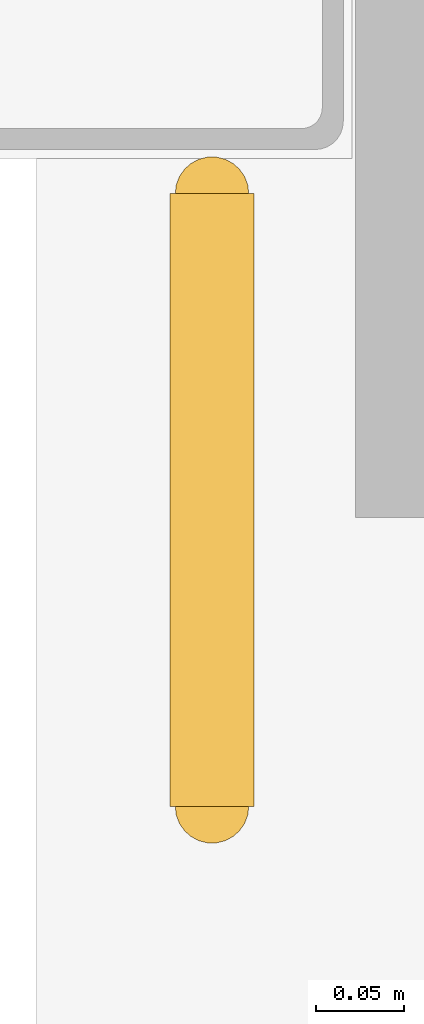
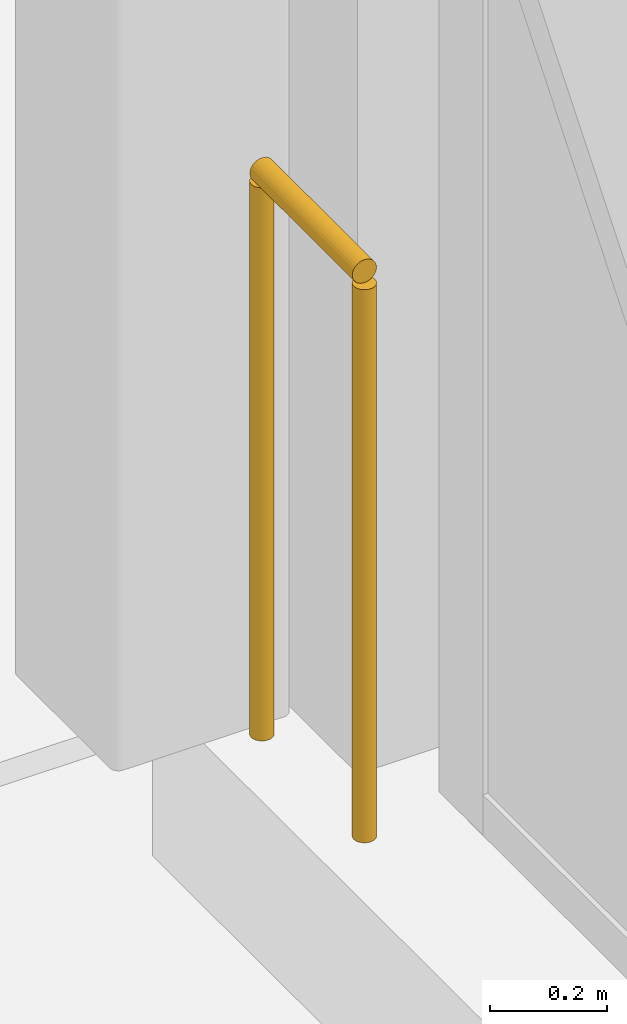
# One storey, part 136 of 139: 1 railing.
"""IFC4 building model written with IfcOpenShell, lengths in metres."""

from ifc_helpers import new_model, si_unit, direction, frame, origin, origin_2d, place, context, subcontext, project, spatial, circle, extrude, material, type_object, element, save


model = new_model("IFC4")

# Units and contexts
model_context = context("Model", 3, precision=1e-05, world=origin(), true_north=direction((0.0, 1.0)))
body_context = subcontext(model_context, "Body", "Model", "MODEL_VIEW")
ifc_project = project(units=[si_unit("LENGTHUNIT", "METRE"), si_unit("AREAUNIT", "SQUARE_METRE"), si_unit("VOLUMEUNIT", "CUBIC_METRE"), si_unit("PLANEANGLEUNIT", "RADIAN"), si_unit("MASSUNIT", "GRAM", prefix="KILO")], contexts=[model_context])

# Site, building, storey
site_placement = place(None, origin())
site = spatial("IfcSite", under=ifc_project, at=site_placement, CompositionType="ELEMENT")
building_placement = place(site_placement, origin())
building = spatial("IfcBuilding", under=site, at=building_placement, Name="Yeouljin Market Hall", CompositionType="ELEMENT")
storey_placement = place(building_placement, origin())
storey = spatial("IfcBuildingStorey", under=building, at=storey_placement, Name="L00", CompositionType="ELEMENT", Elevation=0.0)

# Railing
ifc_material = material(Name="Wrought Iron and Bronze Gallery Balustrade")
railing_type = type_object("IfcRailingType", Name="Railing_AtriumBalustrade_1200", PredefinedType="BALUSTRADE", material=ifc_material)
railing_placement = place(storey_placement, frame((45.10009765625, 117.050048828125, 0.0)))
element("IfcRailing", 1, at=railing_placement, inside=storey, type_object=railing_type, Name="Gallery & deck edge balustrade L00-020", PredefinedType="BALUSTRADE", context=body_context, shape_type="SweptSolid", body=[
    extrude(circle(Radius=0.02392578125, at=origin_2d()), frame((0.0, 0.0, 1.17578125), z_axis=(0.0, 1.0, 0.0), x_axis=(-1.0, 0.0, 0.0)), (0.0, 0.0, 1.0), 0.349853515625),
    extrude(circle(Radius=0.02099609375, at=origin_2d()), origin(), (0.0, 0.0, 1.0), 1.15185546875),
    extrude(circle(Radius=0.02099609375, at=origin_2d()), frame((0.0, 0.349853515625, 0.0)), (0.0, 0.0, 1.0), 1.15185546875),
])

save(model, "model.ifc")
